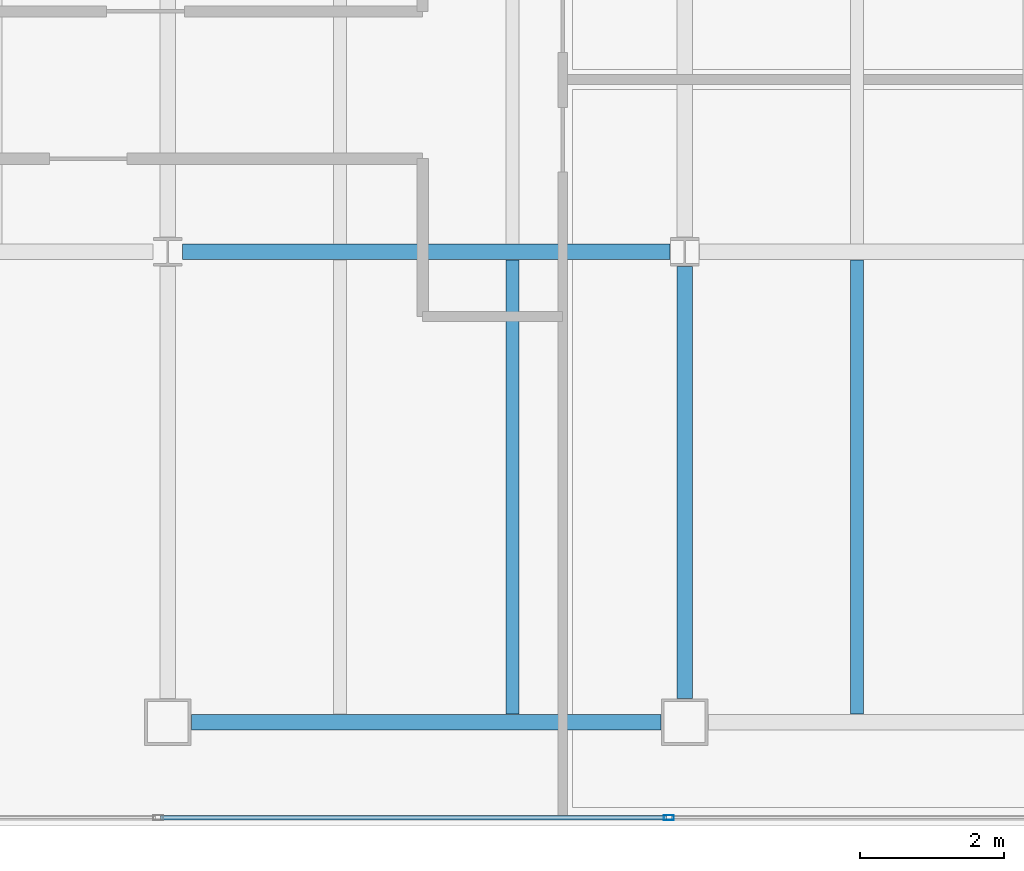
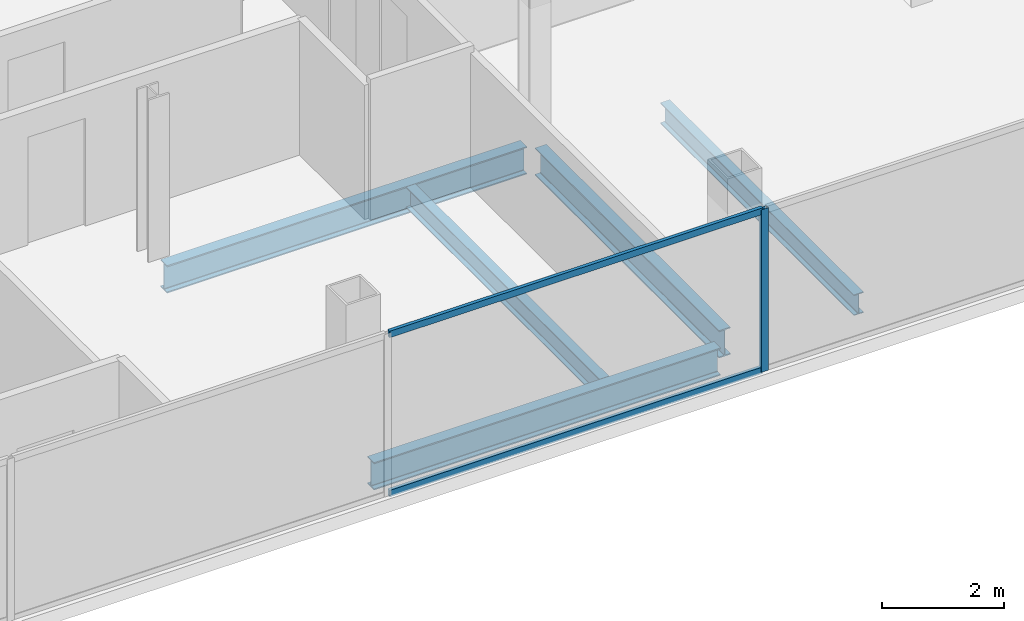
# One storey, part 6 of 23: 5 beams, 3 members, 1 element without a shape of its own.
"""IFC4 building model written with IfcOpenShell, lengths in metres."""

from ifc_helpers import new_model, si_unit, direction, frame, origin, origin_2d, place, context, subcontext, project, spatial, hollow_rectangle, i_section, extrude, material, material_profile, profile_set, type_object, element, aggregate, save


model = new_model("IFC4")

# Units and contexts
model_context = context("Model", 3, precision=1e-05, world=origin(), true_north=direction((0.0, 1.0)))
body_context = subcontext(model_context, "Body", "Model", "MODEL_VIEW")
ifc_project = project(units=[si_unit("LENGTHUNIT", "METRE"), si_unit("AREAUNIT", "SQUARE_METRE"), si_unit("VOLUMEUNIT", "CUBIC_METRE"), si_unit("PLANEANGLEUNIT", "RADIAN"), si_unit("MASSUNIT", "GRAM", prefix="KILO")], contexts=[model_context])

# Site, building, storey
site_placement = place(None, origin())
site = spatial("IfcSite", under=ifc_project, at=site_placement, CompositionType="ELEMENT")
building_placement = place(site_placement, origin())
building = spatial("IfcBuilding", under=site, at=building_placement, Name="Cobrela Telecom Tower", CompositionType="ELEMENT")
storey_placement = place(building_placement, frame((0.0, 0.0, 279.64990234375)))
storey = spatial("IfcBuildingStorey", under=building, at=storey_placement, Name="L73", CompositionType="ELEMENT", Elevation=279.64990234375)

# Beams
ifc_material_1 = material(Name="Steel ASTM A992 Grade 50", Category="steel")
ifc_material_profile_1 = material_profile(ifc_material_1, i_section(OverallWidth=0.212890625, OverallDepth=0.549072265625, WebThickness=0.0146484375, FlangeThickness=0.023681640625, FilletRadius=0.013916015625, at=origin_2d()), Name="W21X93")
ifc_profile_set_1 = profile_set([ifc_material_profile_1], Name="Steel ASTM A992 Grade 50")
beam_type_1 = type_object("IfcBeamType", Name="BM-GIRD-08", PredefinedType="USERDEFINED", material=ifc_profile_set_1)
beam_1_placement = place(storey_placement, frame((21.929931640625, 7.85009765625, -0.534423828125), z_axis=(1.0, 0.0, 0.0), x_axis=(0.0, 1.0, 0.0)))
element("IfcBeam", 1, at=beam_1_placement, inside=storey, type_object=beam_type_1, Name="L73 Primary Girder X03", ObjectType="GIRDER", PredefinedType="USERDEFINED", context=body_context, shape_type="SweptSolid", body=[
    extrude(i_section(OverallWidth=0.212890625, OverallDepth=0.549072265625, WebThickness=0.0146484375, FlangeThickness=0.023681640625, FilletRadius=0.013916015625, at=origin_2d()), origin(), (0.0, 0.0, 1.0), 6.5400390625),
])
beam_2_placement = place(storey_placement, frame((21.804443359375, 14.39990234375, -0.534423828125), z_axis=(1.0, 0.0, 0.0), x_axis=(0.0, 1.0, 0.0)))
element("IfcBeam", 2, at=beam_2_placement, inside=storey, type_object=beam_type_1, Name="L73 Primary Girder X06", ObjectType="GIRDER", PredefinedType="USERDEFINED", context=body_context, shape_type="SweptSolid", body=[
    extrude(i_section(OverallWidth=0.212890625, OverallDepth=0.549072265625, WebThickness=0.0146484375, FlangeThickness=0.023681640625, FilletRadius=0.013916015625, at=origin_2d()), origin(), (0.0, 0.0, 1.0), 6.791015625),
])
beam_3_placement = place(storey_placement, frame((28.800048828125, 8.179931640625, -0.534423828125), z_axis=(0.0, 1.0, 0.0), x_axis=(-1.0, 0.0, 0.0)))
element("IfcBeam", 3, at=beam_3_placement, inside=storey, type_object=beam_type_1, Name="L73 Primary Girder Y29", ObjectType="GIRDER", PredefinedType="USERDEFINED", context=body_context, shape_type="SweptSolid", body=[
    extrude(i_section(OverallWidth=0.212890625, OverallDepth=0.549072265625, WebThickness=0.0146484375, FlangeThickness=0.023681640625, FilletRadius=0.013916015625, at=origin_2d()), origin(), (0.0, 0.0, 1.0), 6.015625),
])
ifc_material_profile_2 = material_profile(ifc_material_1, i_section(OverallWidth=0.179931640625, OverallDepth=0.4169921875, WebThickness=0.010986328125, FlangeThickness=0.01806640625, FilletRadius=0.011962890625, at=origin_2d()), Name="W16X57")
ifc_profile_set_2 = profile_set([ifc_material_profile_2], Name="Steel ASTM A992 Grade 50")
beam_type_2 = type_object("IfcBeamType", Name="BM-JOIST-04", PredefinedType="JOIST", material=ifc_profile_set_2)
for number, where, z_axis, x_axis, name in (
    (4, (26.39990234375, 7.96142578125, -0.468505859375), (0.0, 1.0, 0.0), (-1.0, 0.0, 0.0), "L73 Secondary Composite Floor Beam J09"),
    (5, (31.199951171875, 7.96142578125, -0.468505859375), (0.0, 1.0, 0.0), (-1.0, 0.0, 0.0), "L73 Secondary Composite Floor Beam J11"),
):
    element("IfcBeam", number, at=place(storey_placement, frame(where, z_axis=z_axis, x_axis=x_axis)), inside=storey, type_object=beam_type_2, Name=name, PredefinedType="JOIST", context=body_context, shape_type="SweptSolid", body=[
        extrude(i_section(OverallWidth=0.179931640625, OverallDepth=0.4169921875, WebThickness=0.010986328125, FlangeThickness=0.01806640625, FilletRadius=0.011962890625, at=origin_2d()), origin(), (0.0, 0.0, 1.0), 6.3271484375),
    ])

# Curtain wall, members
ifc_material_2 = material(Name="Anodized Bronze Aluminium 6063-T6", Category="aluminium")
curtain_wall_type = type_object("IfcCurtainWallType", Name="CW-SYS-OFF-HI", PredefinedType="USERDEFINED", material=ifc_material_2)
curtain_wall_placement = place(storey_placement, origin())
curtain_wall = element("IfcCurtainWall", 6, at=curtain_wall_placement, inside=storey, type_object=curtain_wall_type, Name="L73 Unitised Bronze Curtain Wall 15", ObjectType="UNITISED CURTAIN WALL", PredefinedType="USERDEFINED")
ifc_material_profile_3 = material_profile(ifc_material_2, hollow_rectangle(XDim=0.070068359375, YDim=0.139892578125, WallThickness=0.00390625, at=origin_2d()), Name="ALU 70x140x4")
ifc_profile_set_3 = profile_set([ifc_material_profile_3], Name="Anodized Bronze Aluminium 6063-T6")
member_type_1 = type_object("IfcMemberType", Name="CW-SYS-OFF-HI-MUL", PredefinedType="MULLION", material=ifc_profile_set_3)
member_1_placement = place(storey_placement, frame((28.580078125, 6.52001953125, 0.0), z_axis=(0.0, 0.0, 1.0), x_axis=(0.0, -1.0, 0.0)))
member_1 = element("IfcMember", 7, at=member_1_placement, type_object=member_type_1, Name="CW-OFF-HI mullion 3", PredefinedType="MULLION", context=body_context, shape_type="SweptSolid", body=[
    extrude(hollow_rectangle(XDim=0.070068359375, YDim=0.139892578125, WallThickness=0.00390625, at=origin_2d()), origin(), (0.0, 0.0, 1.0), 3.239990234375),
])
ifc_material_profile_4 = material_profile(ifc_material_2, hollow_rectangle(XDim=0.06494140625, YDim=0.1298828125, WallThickness=0.00390625, at=origin_2d()), Name="ALU 65x130x4")
ifc_profile_set_4 = profile_set([ifc_material_profile_4], Name="Anodized Bronze Aluminium 6063-T6")
member_type_2 = type_object("IfcMemberType", Name="CW-SYS-OFF-HI-TRN", PredefinedType="USERDEFINED", material=ifc_profile_set_4)
member_2_placement = place(storey_placement, frame((28.544921875, 6.52001953125, 0.03271484375), z_axis=(-1.0, 0.0, 0.0), x_axis=(0.0, -1.0, 0.0)))
member_2 = element("IfcMember", 8, at=member_2_placement, type_object=member_type_2, Name="CW-OFF-HI transom 3.1", ObjectType="TRANSOM", PredefinedType="USERDEFINED", context=body_context, shape_type="SweptSolid", body=[
    extrude(hollow_rectangle(XDim=0.06494140625, YDim=0.1298828125, WallThickness=0.00390625, at=origin_2d()), origin(), (0.0, 0.0, 1.0), 7.044921875),
])
member_3_placement = place(storey_placement, frame((28.544921875, 6.52001953125, 3.20751953125), z_axis=(-1.0, 0.0, 0.0), x_axis=(0.0, -1.0, 0.0)))
member_3 = element("IfcMember", 9, at=member_3_placement, type_object=member_type_2, Name="CW-OFF-HI transom 3.2", ObjectType="TRANSOM", PredefinedType="USERDEFINED", context=body_context, shape_type="SweptSolid", body=[
    extrude(hollow_rectangle(XDim=0.06494140625, YDim=0.1298828125, WallThickness=0.00390625, at=origin_2d()), origin(), (0.0, 0.0, 1.0), 7.044921875),
])
aggregate(curtain_wall, [member_1, member_2, member_3])

save(model, "model.ifc")
